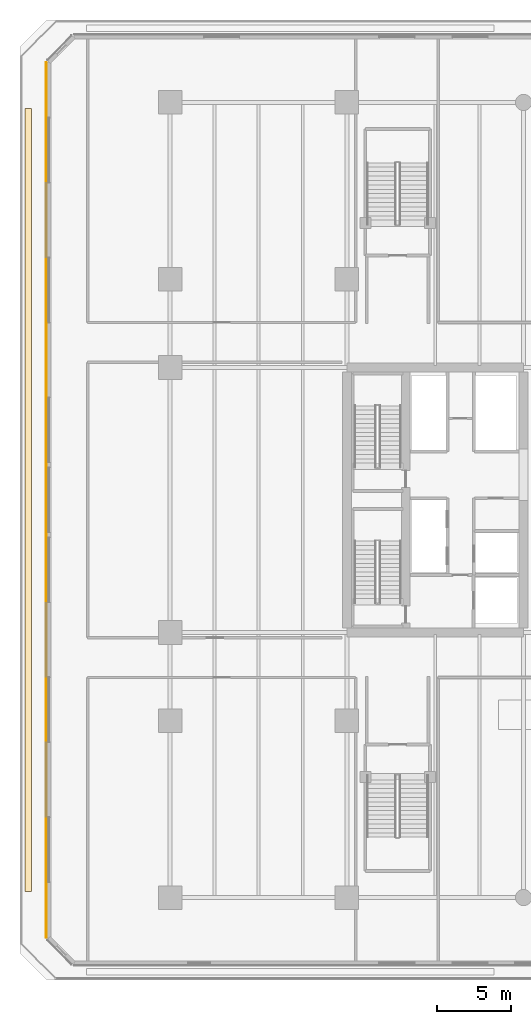
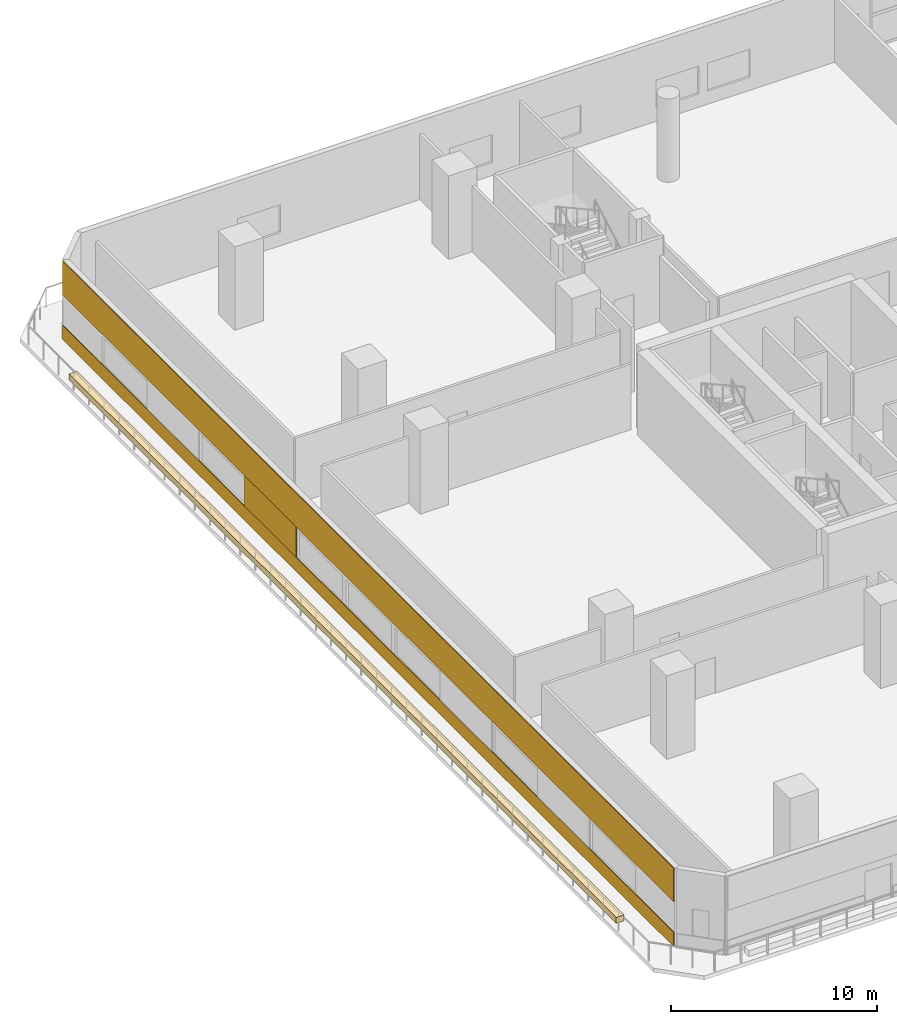
# One storey, part 21 of 27: 4 coverings.
"""IFC4 building model written with IfcOpenShell, lengths in metres."""

from ifc_helpers import new_model, si_unit, direction, frame, origin, origin_2d, place, context, subcontext, project, spatial, polyline, rectangle, outline, extrude, material, layer, layer_set, type_object, element, save


model = new_model("IFC4")

# Units and contexts
model_context = context("Model", 3, precision=1e-05, world=origin(), true_north=direction((0.0, 1.0)))
body_context = subcontext(model_context, "Body", "Model", "MODEL_VIEW")
ifc_project = project(units=[si_unit("LENGTHUNIT", "METRE"), si_unit("AREAUNIT", "SQUARE_METRE"), si_unit("VOLUMEUNIT", "CUBIC_METRE"), si_unit("PLANEANGLEUNIT", "RADIAN"), si_unit("MASSUNIT", "GRAM", prefix="KILO")], contexts=[model_context])

# Site, building, storey
site_placement = place(None, origin())
site = spatial("IfcSite", under=ifc_project, at=site_placement, CompositionType="ELEMENT")
building_placement = place(site_placement, origin())
building = spatial("IfcBuilding", under=site, at=building_placement, Name="Tanjung Sevakor Pilgrim Tower", CompositionType="ELEMENT")
storey_placement = place(building_placement, frame((0.0, 0.0, 9.89990234375)))
storey = spatial("IfcBuildingStorey", under=building, at=storey_placement, Name="L03", CompositionType="ELEMENT", Elevation=9.89990234375)

# Coverings
ifc_material_1 = material(Name="Reconstructed Limestone Cladding", Category="masonry")
ifc_layer_1 = layer(ifc_material_1, 0.044921875)
ifc_layer_set_1 = layer_set([ifc_layer_1], Name="COV-CLAD-LIMESTONE")
covering_type_1 = type_object("IfcCoveringType", Name="COV-CLAD-LIMESTONE", PredefinedType="CLADDING", material=ifc_layer_set_1)
covering_1_placement = place(storey_placement, frame((3.577392578125, 33.60009765625, 0.01025390625), z_axis=(0.0, 0.0, 1.0), x_axis=(0.0, -1.0, 0.0)))
element("IfcCovering", 1, at=covering_1_placement, inside=storey, type_object=covering_type_1, Name="L03 Warm Limestone Sill Spandrel EW-L03-MAIN-7-1", PredefinedType="CLADDING", context=body_context, shape_type="SweptSolid", body=[
    extrude(rectangle(XDim=59.395751953125, YDim=0.044921875, at=origin_2d()), origin(), (0.0, 0.0, 1.0), 0.840087890625),
])
covering_2_placement = place(storey_placement, frame((3.577392578125, 33.60009765625, 2.66015625), z_axis=(0.0, 0.0, 1.0), x_axis=(0.0, -1.0, 0.0)))
element("IfcCovering", 2, at=covering_2_placement, inside=storey, type_object=covering_type_1, Name="L03 Warm Limestone Cornice Spandrel EW-L03-MAIN-7", PredefinedType="CLADDING", context=body_context, shape_type="SweptSolid", body=[
    extrude(rectangle(XDim=59.435791015625, YDim=0.044921875, at=origin_2d()), origin(), (0.0, 0.0, 1.0), 2.0),
])
covering_3_placement = place(storey_placement, frame((3.577392578125, 43.10009765625, 0.85009765625), z_axis=(0.0, 0.0, 1.0), x_axis=(0.0, -1.0, 0.0)))
element("IfcCovering", 3, at=covering_3_placement, inside=storey, type_object=covering_type_1, Name="L03 Warm Limestone Pier Panel EW-L03-MAIN-7-2", PredefinedType="CLADDING", context=body_context, shape_type="SweptSolid", body=[
    extrude(rectangle(XDim=5.0, YDim=0.044921875, at=origin_2d()), origin(), (0.0, 0.0, 1.0), 1.81005859375),
])
ifc_material_2 = material(Name="Vegetated Modular Planter Assembly", Category="organic")
ifc_layer_2 = layer(ifc_material_2, 0.35009765625)
ifc_layer_set_2 = layer_set([ifc_layer_2], Name="COV-GRN-TROUGH")
covering_type_2 = type_object("IfcCoveringType", Name="COV-GRN-TROUGH", PredefinedType="CLADDING", material=ifc_layer_set_2)
covering_4_placement = place(storey_placement, origin())
element("IfcCovering", 4, at=covering_4_placement, inside=storey, type_object=covering_type_2, Name="L03 Planted Landscape Hedge Trough PGRN-L03-W", PredefinedType="CLADDING", context=body_context, shape_type="SweptSolid", body=[
    extrude(outline(polyline([(2.570068359375, 7.0), (2.570068359375, 60.199951171875), (2.1298828125, 60.199951171875), (2.1298828125, 7.0), (2.570068359375, 7.0)])), origin(), (0.0, 0.0, 1.0), 0.35009765625),
])

save(model, "model.ifc")
